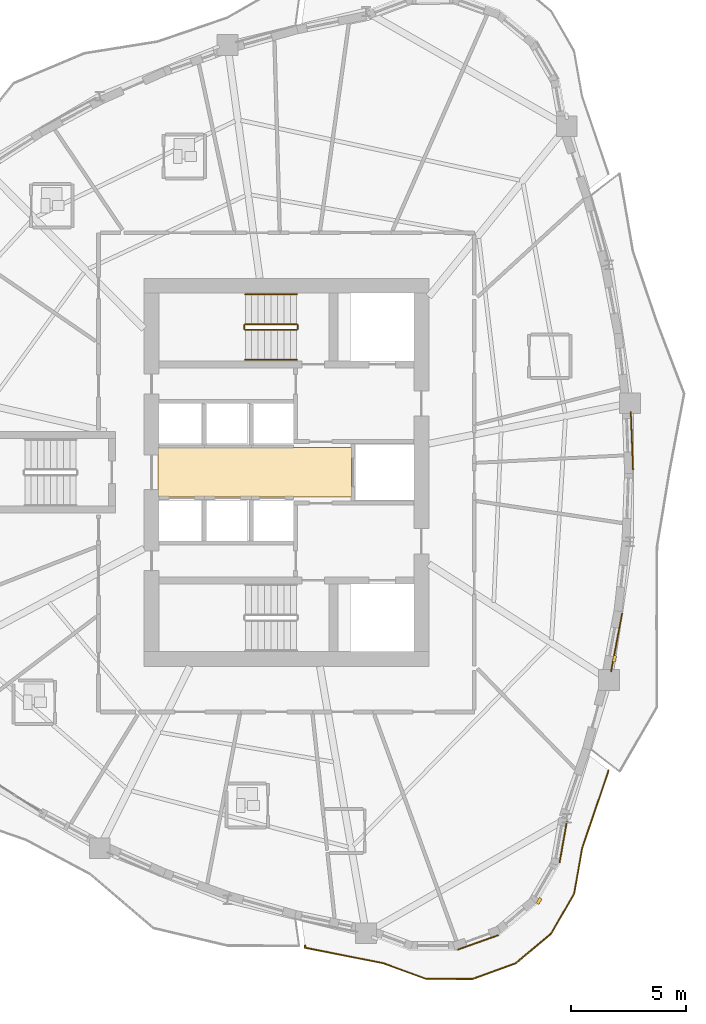
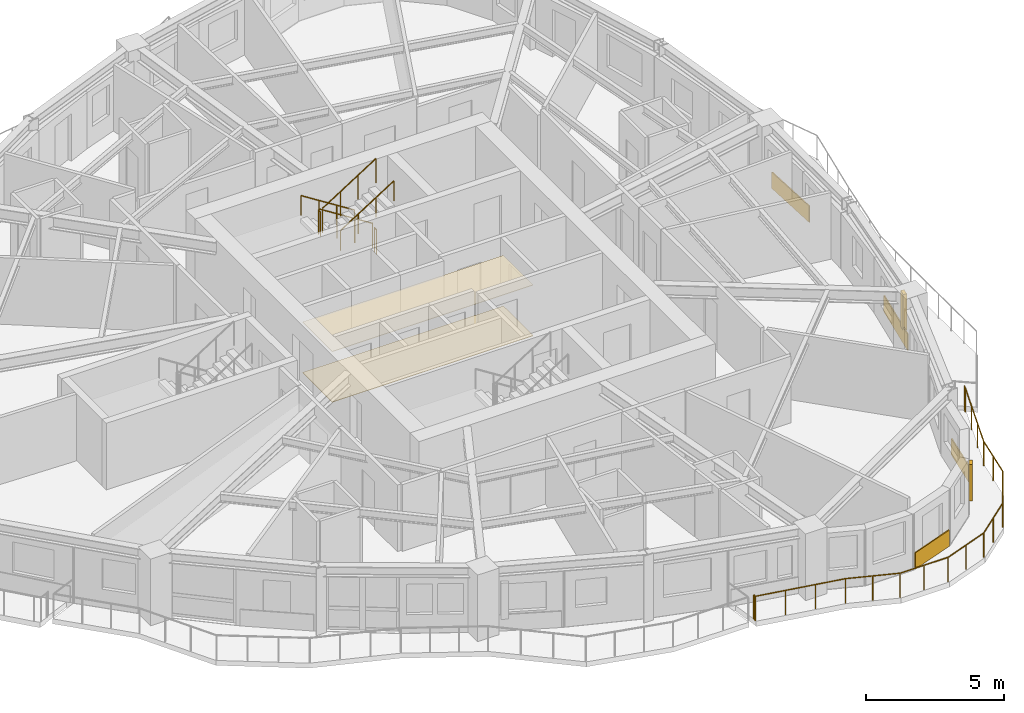
# One storey, part 13 of 15: 7 railings, 6 coverings, 2 shading devices.
"""IFC4 building model written with IfcOpenShell, lengths in metres."""

from ifc_helpers import new_model, si_unit, direction, frame, origin, origin_2d, place, context, subcontext, project, spatial, polyline, rectangle, circle, outline, extrude, source, transform, mapped, material, layer, layer_set, type_object, element, save


model = new_model("IFC4")

# Units and contexts
model_context = context("Model", 3, precision=1e-05, world=origin(), true_north=direction((0.0, 1.0)))
body_context = subcontext(model_context, "Body", "Model", "MODEL_VIEW")
ifc_project = project(units=[si_unit("LENGTHUNIT", "METRE"), si_unit("AREAUNIT", "SQUARE_METRE"), si_unit("VOLUMEUNIT", "CUBIC_METRE"), si_unit("PLANEANGLEUNIT", "RADIAN"), si_unit("MASSUNIT", "GRAM", prefix="KILO")], contexts=[model_context])

# Site, building, storey
site_placement = place(None, origin())
site = spatial("IfcSite", under=ifc_project, at=site_placement, CompositionType="ELEMENT")
building_placement = place(site_placement, origin())
building = spatial("IfcBuilding", under=site, at=building_placement, Name="Qafzar Sky-Pleat Residences", CompositionType="ELEMENT")
storey_placement = place(building_placement, frame((0.0, 0.0, 70.39990234375)))
storey = spatial("IfcBuildingStorey", under=building, at=storey_placement, Name="L20", CompositionType="ELEMENT", Elevation=70.39990234375)

# Coverings
ifc_material_1 = material(Name="Perforated acoustic gypsum board ceiling")
ifc_layer_1 = layer(ifc_material_1, 0.02001953125)
ifc_layer_set_1 = layer_set([ifc_layer_1], Name="Perforated acoustic gypsum board ceiling")
covering_type_1 = type_object("IfcCoveringType", Name="COV-CEIL-ACOUSTIC", PredefinedType="CEILING", material=ifc_layer_set_1)
covering_1_placement = place(storey_placement, frame((0.0, 0.0, 2.239990234375)))
element("IfcCovering", 1, at=covering_1_placement, inside=storey, type_object=covering_type_1, Name="L20 Passenger Lift Lobby Acoustic Ceiling", PredefinedType="CEILING", context=body_context, shape_type="SweptSolid", body=[
    extrude(outline(polyline([(33.179931640625, 24.919921875), (24.77001953125, 24.919921875), (24.77001953125, 27.080078125), (33.179931640625, 27.080078125), (33.179931640625, 24.919921875)])), origin(), (0.0, 0.0, 1.0), 0.02001953125),
])
ifc_material_2 = material(Name="Honed porcelain and Riyadh stone tile flooring", Category="masonry")
ifc_layer_2 = layer(ifc_material_2, 0.02001953125)
ifc_layer_set_2 = layer_set([ifc_layer_2], Name="Honed porcelain and Riyadh stone tile flooring")
covering_type_2 = type_object("IfcCoveringType", Name="COV-FLR-PORCELAIN", PredefinedType="FLOORING", material=ifc_layer_set_2)
covering_2_placement = place(storey_placement, origin())
element("IfcCovering", 2, at=covering_2_placement, inside=storey, type_object=covering_type_2, Name="L20 Passenger Lift Lobby Honed Stone Flooring", PredefinedType="FLOORING", context=body_context, shape_type="SweptSolid", body=[
    extrude(outline(polyline([(33.179931640625, 24.919921875), (24.77001953125, 24.919921875), (24.77001953125, 27.080078125), (33.179931640625, 27.080078125), (33.179931640625, 24.919921875)])), origin(), (0.0, 0.0, 1.0), 0.02001953125),
])

# Shading devices
ifc_material_3 = material(Name="Honed Riyadh limestone solar fin", Category="masonry")
ifc_layer_3 = layer(ifc_material_3, 0.139892578125)
ifc_layer_set_3 = layer_set([ifc_layer_3], Name="Honed Riyadh limestone solar fin")
shading_device_type = type_object("IfcShadingDeviceType", Name="SHD-FIN-STONE", PredefinedType="SHUTTER", material=ifc_layer_set_3)
shared_shape_1 = source(origin(), body_context, "Body", "SweptSolid", [
    extrude(rectangle(XDim=0.139892578125, YDim=0.280029296875, at=origin_2d()), origin(), (0.0, 0.0, 1.0), 1.60009765625),
])
for number, where, z_axis, x_axis, name in (
    (3, (41.351806640625, 7.337646484375, 0.60009765625), (0.0, 0.0, 1.0), (0.86489556585, -0.501951850453, 0.0), "L20 Limestone Solar Fin 21"),
    (4, (44.63427734375, 17.88623046875, 0.60009765625), (0.0, 0.0, 1.0), (0.982421223161, -0.186677637342, 0.0), "L20 Limestone Solar Fin 25"),
):
    element("IfcShadingDevice", number, at=place(storey_placement, frame(where, z_axis=z_axis, x_axis=x_axis)), inside=storey, type_object=shading_device_type, Name=name, PredefinedType="SHUTTER", context=body_context, shape_type="MappedRepresentation", body=[
        mapped(shared_shape_1, transform((0.0, 0.0, 0.0), x_axis=(1.0, 0.0, 0.0), y_axis=(0.0, 1.0, 0.0), z_axis=(0.0, 0.0, 1.0), scale=1.0)),
    ])

# Railing
ifc_material_4 = material(Name="Laminated glass and bronze steel balustrade", Category="steel")
railing_type_1 = type_object("IfcRailingType", Name="RAIL-BAL-1100", PredefinedType="BALUSTRADE", material=ifc_material_4)
shared_shape_2 = source(origin(), body_context, "Body", "SweptSolid", [
    extrude(circle(Radius=0.02392578125, at=origin_2d()), frame((0.0, 0.0, 1.076171875), z_axis=(-0.256013881747, -0.966673105218, 0.0), x_axis=(0.966673105218, -0.256013881747, 0.0)), (0.0, 0.0, 1.0), 0.110595703125),
    extrude(circle(Radius=0.02392578125, at=origin_2d()), frame((-0.0283203125, -0.10693359375, 1.076171875), z_axis=(-0.322765940359, -0.946478815264, 0.0), x_axis=(0.946478815264, -0.322765940359, 0.0)), (0.0, 0.0, 1.0), 3.45751953125),
    extrude(circle(Radius=0.02392578125, at=origin_2d()), frame((-1.144287109375, -3.37939453125, 1.076171875), z_axis=(-0.172677621819, -0.984978395155, 0.0), x_axis=(0.984978395155, -0.172677621819, 0.0)), (0.0, 0.0, 1.0), 2.011962890625),
    extrude(circle(Radius=0.02392578125, at=origin_2d()), frame((-1.49169921875, -5.361083984375, 1.076171875), z_axis=(-0.499273905259, -0.866444209126, 0.0), x_axis=(0.866444209126, -0.499273905259, 0.0)), (0.0, 0.0, 1.0), 2.0107421875),
    extrude(circle(Radius=0.02392578125, at=origin_2d()), frame((-2.49560546875, -7.103271484375, 1.076171875), z_axis=(-0.765936876921, -0.642915780311, 0.0), x_axis=(0.642915780311, -0.765936876921, 0.0)), (0.0, 0.0, 1.0), 2.01025390625),
    extrude(circle(Radius=0.02392578125, at=origin_2d()), frame((-4.035400390625, -8.395751953125, 1.076171875), z_axis=(-0.939786331268, -0.341762566062, 0.0), x_axis=(0.341762566062, -0.939786331268, 0.0)), (0.0, 0.0, 1.0), 2.01025390625),
    extrude(circle(Radius=0.02392578125, at=origin_2d()), frame((-5.924560546875, -9.082763671875, 1.076171875), z_axis=(-0.999999734637, 0.000728508792, 0.0), x_axis=(-0.000728508792, -0.999999734637, 0.0)), (0.0, 0.0, 1.0), 2.0107421875),
    extrude(circle(Radius=0.02392578125, at=origin_2d()), frame((-7.935302734375, -9.081298828125, 1.076171875), z_axis=(-0.939346149003, 0.342970570682, 0.0), x_axis=(-0.342970570682, -0.939346149003, 0.0)), (0.0, 0.0, 1.0), 2.01171875),
    extrude(circle(Radius=0.02392578125, at=origin_2d()), frame((-9.824951171875, -8.391357421875, 1.076171875), z_axis=(-0.981063790073, 0.193684898242, 0.0), x_axis=(-0.193684898242, -0.981063790073, 0.0)), (0.0, 0.0, 1.0), 3.45751953125),
    extrude(circle(Radius=0.02392578125, at=origin_2d()), frame((-13.217041015625, -7.7216796875, 1.076171875), z_axis=(-0.958798112708, 0.284088329691, 0.0), x_axis=(-0.284088329691, -0.958798112708, 0.0)), (0.0, 0.0, 1.0), 0.0068359375),
    extrude(circle(Radius=0.02392578125, at=origin_2d()), frame((-13.2236328125, -7.7197265625, 1.076171875), z_axis=(0.308504698037, 0.951222818949, 0.0), x_axis=(-0.951222818949, 0.308504698037, 0.0)), (0.0, 0.0, 1.0), 0.009521484375),
    extrude(circle(Radius=0.02392578125, at=origin_2d()), frame((-13.220703125, -7.710693359375, 1.076171875), z_axis=(0.203567136411, 0.979060989404, 0.0), x_axis=(-0.979060989404, 0.203567136411, 0.0)), (0.0, 0.0, 1.0), 0.025146484375),
    extrude(circle(Radius=0.02392578125, at=origin_2d()), frame((-13.215576171875, -7.68603515625, 1.076171875), z_axis=(0.116841247567, 0.993150604323, 0.0), x_axis=(-0.993150604323, 0.116841247567, 0.0)), (0.0, 0.0, 1.0), 0.025146484375),
    extrude(circle(Radius=0.02392578125, at=origin_2d()), frame((-13.212646484375, -7.6611328125, 1.076171875), z_axis=(0.009614940148, 0.999953775395, 0.0), x_axis=(-0.999953775395, 0.009614940148, 0.0)), (0.0, 0.0, 1.0), 0.025390625),
    extrude(circle(Radius=0.02392578125, at=origin_2d()), frame((-13.21240234375, -7.6357421875, 1.076171875), z_axis=(-0.087046969676, 0.996204208519, 0.0), x_axis=(-0.996204208519, -0.087046969676, 0.0)), (0.0, 0.0, 1.0), 0.025146484375),
    extrude(circle(Radius=0.02099609375, at=origin_2d()), origin(), (0.0, 0.0, 1.0), 1.052001953125),
    extrude(circle(Radius=0.02099609375, at=origin_2d()), frame((-0.0283203125, -0.10693359375, 0.0)), (0.0, 0.0, 1.0), 1.052001953125),
    extrude(circle(Radius=0.02099609375, at=origin_2d()), frame((-0.400390625, -1.19775390625, 0.0)), (0.0, 0.0, 1.0), 1.052001953125),
    extrude(circle(Radius=0.02099609375, at=origin_2d()), frame((-0.772216796875, -2.28857421875, 0.0)), (0.0, 0.0, 1.0), 1.052001953125),
    extrude(circle(Radius=0.02099609375, at=origin_2d()), frame((-1.144287109375, -3.37939453125, 0.0)), (0.0, 0.0, 1.0), 1.052001953125),
    extrude(circle(Radius=0.02099609375, at=origin_2d()), frame((-1.31787109375, -4.3701171875, 0.0)), (0.0, 0.0, 1.0), 1.052001953125),
    extrude(circle(Radius=0.02099609375, at=origin_2d()), frame((-1.49169921875, -5.361083984375, 0.0)), (0.0, 0.0, 1.0), 1.052001953125),
    extrude(circle(Radius=0.02099609375, at=origin_2d()), frame((-1.99365234375, -6.232177734375, 0.0)), (0.0, 0.0, 1.0), 1.052001953125),
    extrude(circle(Radius=0.02099609375, at=origin_2d()), frame((-2.49560546875, -7.103271484375, 0.0)), (0.0, 0.0, 1.0), 1.052001953125),
    extrude(circle(Radius=0.02099609375, at=origin_2d()), frame((-3.265625, -7.74951171875, 0.0)), (0.0, 0.0, 1.0), 1.052001953125),
    extrude(circle(Radius=0.02099609375, at=origin_2d()), frame((-4.035400390625, -8.395751953125, 0.0)), (0.0, 0.0, 1.0), 1.052001953125),
    extrude(circle(Radius=0.02099609375, at=origin_2d()), frame((-4.97998046875, -8.7392578125, 0.0)), (0.0, 0.0, 1.0), 1.052001953125),
    extrude(circle(Radius=0.02099609375, at=origin_2d()), frame((-5.924560546875, -9.082763671875, 0.0)), (0.0, 0.0, 1.0), 1.052001953125),
    extrude(circle(Radius=0.02099609375, at=origin_2d()), frame((-6.929931640625, -9.08203125, 0.0)), (0.0, 0.0, 1.0), 1.052001953125),
    extrude(circle(Radius=0.02099609375, at=origin_2d()), frame((-7.935302734375, -9.081298828125, 0.0)), (0.0, 0.0, 1.0), 1.052001953125),
    extrude(circle(Radius=0.02099609375, at=origin_2d()), frame((-8.880126953125, -8.736328125, 0.0)), (0.0, 0.0, 1.0), 1.052001953125),
    extrude(circle(Radius=0.02099609375, at=origin_2d()), frame((-9.824951171875, -8.391357421875, 0.0)), (0.0, 0.0, 1.0), 1.052001953125),
    extrude(circle(Radius=0.02099609375, at=origin_2d()), frame((-10.95556640625, -8.168212890625, 0.0)), (0.0, 0.0, 1.0), 1.052001953125),
    extrude(circle(Radius=0.02099609375, at=origin_2d()), frame((-12.08642578125, -7.94482421875, 0.0)), (0.0, 0.0, 1.0), 1.052001953125),
    extrude(circle(Radius=0.02099609375, at=origin_2d()), frame((-13.217041015625, -7.7216796875, 0.0)), (0.0, 0.0, 1.0), 1.052001953125),
    extrude(circle(Radius=0.02099609375, at=origin_2d()), frame((-13.2236328125, -7.7197265625, 0.0)), (0.0, 0.0, 1.0), 1.052001953125),
    extrude(circle(Radius=0.02099609375, at=origin_2d()), frame((-13.220703125, -7.710693359375, 0.0)), (0.0, 0.0, 1.0), 1.052001953125),
    extrude(circle(Radius=0.02099609375, at=origin_2d()), frame((-13.215576171875, -7.68603515625, 0.0)), (0.0, 0.0, 1.0), 1.052001953125),
    extrude(circle(Radius=0.02099609375, at=origin_2d()), frame((-13.212646484375, -7.6611328125, 0.0)), (0.0, 0.0, 1.0), 1.052001953125),
    extrude(circle(Radius=0.02099609375, at=origin_2d()), frame((-13.21240234375, -7.6357421875, 0.0)), (0.0, 0.0, 1.0), 1.052001953125),
    extrude(circle(Radius=0.02099609375, at=origin_2d()), frame((-13.214599609375, -7.610595703125, 0.0)), (0.0, 0.0, 1.0), 1.052001953125),
])
railing_1_placement = place(storey_placement, frame((44.372802734375, 13.026611328125, 0.0)))
element("IfcRailing", 5, at=railing_1_placement, inside=storey, type_object=railing_type_1, Name="L20 Corner Terrace 3 Balustrade", PredefinedType="BALUSTRADE", context=body_context, shape_type="MappedRepresentation", body=[
    mapped(shared_shape_2, transform((0.0, 0.0, 0.0), x_axis=(1.0, 0.0, 0.0), y_axis=(0.0, 1.0, 0.0), z_axis=(0.0, 0.0, 1.0), scale=1.0)),
])

# Coverings
ifc_material_5 = material(Name="Honed Riyadh Tuwaiq limestone cladding", Category="masonry")
ifc_layer_4 = layer(ifc_material_5, 0.044921875)
ifc_layer_set_4 = layer_set([ifc_layer_4], Name="Honed Riyadh Tuwaiq limestone cladding")
covering_type_3 = type_object("IfcCoveringType", Name="COV-CLAD-STONE", PredefinedType="CLADDING", material=ifc_layer_set_4)
shared_shape_3 = source(origin(), body_context, "Body", "SweptSolid", [
    extrude(rectangle(XDim=1.88916015625, YDim=0.044921875, at=origin_2d()), origin(), (0.0, 0.0, 1.0), 0.719970703125),
])
covering_3_placement = place(storey_placement, frame((38.6923828125, 5.535400390625, 0.02001953125), z_axis=(0.0, 0.0, 1.0), x_axis=(0.941498066035, 0.337018384741, 0.0)))
element("IfcCovering", 6, at=covering_3_placement, inside=storey, type_object=covering_type_3, Name="L20 Riyadh Limestone Spandrel Cladding 19", PredefinedType="CLADDING", context=body_context, shape_type="MappedRepresentation", body=[
    mapped(shared_shape_3, transform((0.0, 0.0, 0.0), x_axis=(1.0, 0.0, 0.0), y_axis=(0.0, 1.0, 0.0), z_axis=(0.0, 0.0, 1.0), scale=1.0)),
])
shared_shape_4 = source(origin(), body_context, "Body", "SweptSolid", [
    extrude(rectangle(XDim=1.8369140625, YDim=0.044921875, at=origin_2d()), origin(), (0.0, 0.0, 1.0), 0.719970703125),
])
covering_4_placement = place(storey_placement, frame((42.400146484375, 9.90478515625, 0.02001953125), z_axis=(0.0, 0.0, 1.0), x_axis=(0.174377861823, 0.984678811241, 0.0)))
element("IfcCovering", 7, at=covering_4_placement, inside=storey, type_object=covering_type_3, Name="L20 Riyadh Limestone Spandrel Cladding 22", PredefinedType="CLADDING", context=body_context, shape_type="MappedRepresentation", body=[
    mapped(shared_shape_4, transform((0.0, 0.0, 0.0), x_axis=(1.0, 0.0, 0.0), y_axis=(0.0, 1.0, 0.0), z_axis=(0.0, 0.0, 1.0), scale=1.0)),
])
shared_shape_5 = source(origin(), body_context, "Body", "SweptSolid", [
    extrude(rectangle(XDim=2.59228515625, YDim=0.044921875, at=origin_2d()), origin(), (0.0, 0.0, 1.0), 0.719970703125),
])
covering_5_placement = place(storey_placement, frame((44.724609375, 18.591796875, 0.02001953125), z_axis=(0.0, 0.0, 1.0), x_axis=(0.186679745657, 0.982420822541, 0.0)))
element("IfcCovering", 8, at=covering_5_placement, inside=storey, type_object=covering_type_3, Name="L20 Riyadh Limestone Spandrel Cladding 25", PredefinedType="CLADDING", context=body_context, shape_type="MappedRepresentation", body=[
    mapped(shared_shape_5, transform((0.0, 0.0, 0.0), x_axis=(1.0, 0.0, 0.0), y_axis=(0.0, 1.0, 0.0), z_axis=(0.0, 0.0, 1.0), scale=1.0)),
])
shared_shape_6 = source(origin(), body_context, "Body", "SweptSolid", [
    extrude(rectangle(XDim=2.545654296875, YDim=0.044921875, at=origin_2d()), origin(), (0.0, 0.0, 1.0), 0.719970703125),
])
covering_6_placement = place(storey_placement, frame((45.392578125, 27.376220703125, 0.02001953125), z_axis=(0.0, 0.0, 1.0), x_axis=(-0.037970122477, 0.999278874889, 0.0)))
element("IfcCovering", 9, at=covering_6_placement, inside=storey, type_object=covering_type_3, Name="L20 Riyadh Limestone Spandrel Cladding 28", PredefinedType="CLADDING", context=body_context, shape_type="MappedRepresentation", body=[
    mapped(shared_shape_6, transform((0.0, 0.0, 0.0), x_axis=(1.0, 0.0, 0.0), y_axis=(0.0, 1.0, 0.0), z_axis=(0.0, 0.0, 1.0), scale=1.0)),
])

# Railings
ifc_material_6 = material(Name="Painted Steel S355 stair guardrail", Category="steel")
railing_type_2 = type_object("IfcRailingType", Name="RAIL-STAIR-GUARD", PredefinedType="GUARDRAIL", material=ifc_material_6)
shared_shape_7 = source(origin(), body_context, "Body", "SweptSolid", [
    extrude(circle(Radius=0.02392578125, at=origin_2d()), frame((0.0, 0.0, 1.076171875), z_axis=(0.0, -1.0, 0.0), x_axis=(1.0, 0.0, 0.0)), (0.0, 0.0, 1.0), 0.14990234375),
    extrude(circle(Radius=0.02099609375, at=origin_2d()), origin(), (0.0, 0.0, 1.0), 1.052001953125),
    extrude(circle(Radius=0.02099609375, at=origin_2d()), frame((0.0, -0.14990234375, 0.0)), (0.0, 0.0, 1.0), 1.052001953125),
])
for number, where, name in (
    (10, (28.510009765625, 32.39990234375, 1.60009765625), "L20 ST2 stair guard 2"),
    (11, (30.85009765625, 32.39990234375, 0.0), "L20 ST2 stair guard 4"),
):
    element("IfcRailing", number, at=place(storey_placement, frame(where)), inside=storey, type_object=railing_type_2, Name=name, PredefinedType="GUARDRAIL", context=body_context, shape_type="MappedRepresentation", body=[
        mapped(shared_shape_7, transform((0.0, 0.0, 0.0), x_axis=(1.0, 0.0, 0.0), y_axis=(0.0, 1.0, 0.0), z_axis=(0.0, 0.0, 1.0), scale=1.0)),
    ])
shared_shape_8 = source(origin(), body_context, "Body", "SweptSolid", [
    extrude(circle(Radius=0.02392578125, at=origin_2d()), frame((0.0, 0.0, 1.076171875), z_axis=(-0.8442293374, 0.0, 0.53598211339), x_axis=(0.0, -1.0, 0.0)), (0.0, 0.0, 1.0), 2.6533203125),
    extrude(circle(Radius=0.02099609375, at=origin_2d()), origin(), (0.0, 0.0, 1.0), 1.052001953125),
    extrude(circle(Radius=0.02099609375, at=origin_2d()), frame((-0.74658203125, 0.0, 0.47412109375)), (0.0, 0.0, 1.0), 1.052001953125),
    extrude(circle(Radius=0.02099609375, at=origin_2d()), frame((-1.493408203125, 0.0, 0.947998046875)), (0.0, 0.0, 1.0), 1.052001953125),
    extrude(circle(Radius=0.02099609375, at=origin_2d()), frame((-2.239990234375, 0.0, 1.422119140625)), (0.0, 0.0, 1.0), 1.052001953125),
])
railing_2_placement = place(storey_placement, frame((30.800048828125, 32.449951171875, 0.177978515625)))
element("IfcRailing", 12, at=railing_2_placement, inside=storey, type_object=railing_type_2, Name="L20 ST2 stair guard 1", PredefinedType="GUARDRAIL", context=body_context, shape_type="MappedRepresentation", body=[
    mapped(shared_shape_8, transform((0.0, 0.0, 0.0), x_axis=(1.0, 0.0, 0.0), y_axis=(0.0, 1.0, 0.0), z_axis=(0.0, 0.0, 1.0), scale=1.0)),
])
ifc_material_7 = material(Name="Brushed stainless steel handrail", Category="steel")
railing_type_3 = type_object("IfcRailingType", Name="RAIL-STAIR-HAND", PredefinedType="HANDRAIL", material=ifc_material_7)
shared_shape_9 = source(origin(), body_context, "Body", "SweptSolid", [
    extrude(circle(Radius=0.02392578125, at=origin_2d()), frame((0.0, 0.0, 0.8759765625), z_axis=(-0.8442293374, 0.0, 0.53598211339), x_axis=(0.0, -1.0, 0.0)), (0.0, 0.0, 1.0), 2.6533203125),
    extrude(circle(Radius=0.02099609375, at=origin_2d()), origin(), (0.0, 0.0, 1.0), 0.851806640625),
    extrude(circle(Radius=0.02099609375, at=origin_2d()), frame((-0.74658203125, 0.0, 0.47412109375)), (0.0, 0.0, 1.0), 0.851806640625),
    extrude(circle(Radius=0.02099609375, at=origin_2d()), frame((-1.493408203125, 0.0, 0.947998046875)), (0.0, 0.0, 1.0), 0.851806640625),
    extrude(circle(Radius=0.02099609375, at=origin_2d()), frame((-2.239990234375, 0.0, 1.422119140625)), (0.0, 0.0, 1.0), 0.851806640625),
])
railing_3_placement = place(storey_placement, frame((30.800048828125, 33.75, 0.177978515625)))
element("IfcRailing", 13, at=railing_3_placement, inside=storey, type_object=railing_type_3, Name="L20 ST2 stair handrail 1", PredefinedType="HANDRAIL", context=body_context, shape_type="MappedRepresentation", body=[
    mapped(shared_shape_9, transform((0.0, 0.0, 0.0), x_axis=(1.0, 0.0, 0.0), y_axis=(0.0, 1.0, 0.0), z_axis=(0.0, 0.0, 1.0), scale=1.0)),
])
shared_shape_10 = source(origin(), body_context, "Body", "SweptSolid", [
    extrude(circle(Radius=0.02392578125, at=origin_2d()), frame((0.0, 0.0, 1.076171875), z_axis=(0.84418770128, 0.0, 0.536047689118), x_axis=(0.0, 1.0, 0.0)), (0.0, 0.0, 1.0), 2.6533203125),
    extrude(circle(Radius=0.02099609375, at=origin_2d()), origin(), (0.0, 0.0, 1.0), 1.052001953125),
    extrude(circle(Radius=0.02099609375, at=origin_2d()), frame((0.74658203125, 0.0, 0.47412109375)), (0.0, 0.0, 1.0), 1.052001953125),
    extrude(circle(Radius=0.02099609375, at=origin_2d()), frame((1.493408203125, 0.0, 0.9482421875)), (0.0, 0.0, 1.0), 1.052001953125),
    extrude(circle(Radius=0.02099609375, at=origin_2d()), frame((2.239990234375, 0.0, 1.42236328125)), (0.0, 0.0, 1.0), 1.052001953125),
])
railing_4_placement = place(storey_placement, frame((28.56005859375, 32.199951171875, 1.77783203125)))
element("IfcRailing", 14, at=railing_4_placement, inside=storey, type_object=railing_type_2, Name="L20 ST2 stair guard 3", PredefinedType="GUARDRAIL", context=body_context, shape_type="MappedRepresentation", body=[
    mapped(shared_shape_10, transform((0.0, 0.0, 0.0), x_axis=(1.0, 0.0, 0.0), y_axis=(0.0, 1.0, 0.0), z_axis=(0.0, 0.0, 1.0), scale=1.0)),
])
shared_shape_11 = source(origin(), body_context, "Body", "SweptSolid", [
    extrude(circle(Radius=0.02392578125, at=origin_2d()), frame((0.0, 0.0, 0.8759765625), z_axis=(0.84418770128, 0.0, 0.536047689118), x_axis=(0.0, 1.0, 0.0)), (0.0, 0.0, 1.0), 2.6533203125),
    extrude(circle(Radius=0.02099609375, at=origin_2d()), origin(), (0.0, 0.0, 1.0), 0.851806640625),
    extrude(circle(Radius=0.02099609375, at=origin_2d()), frame((0.74658203125, 0.0, 0.47412109375)), (0.0, 0.0, 1.0), 0.851806640625),
    extrude(circle(Radius=0.02099609375, at=origin_2d()), frame((1.493408203125, 0.0, 0.9482421875)), (0.0, 0.0, 1.0), 0.851806640625),
    extrude(circle(Radius=0.02099609375, at=origin_2d()), frame((2.239990234375, 0.0, 1.42236328125)), (0.0, 0.0, 1.0), 0.851806640625),
])
railing_5_placement = place(storey_placement, frame((28.56005859375, 30.89990234375, 1.77783203125)))
element("IfcRailing", 15, at=railing_5_placement, inside=storey, type_object=railing_type_3, Name="L20 ST2 stair handrail 2", PredefinedType="HANDRAIL", context=body_context, shape_type="MappedRepresentation", body=[
    mapped(shared_shape_11, transform((0.0, 0.0, 0.0), x_axis=(1.0, 0.0, 0.0), y_axis=(0.0, 1.0, 0.0), z_axis=(0.0, 0.0, 1.0), scale=1.0)),
])

save(model, "model.ifc")
